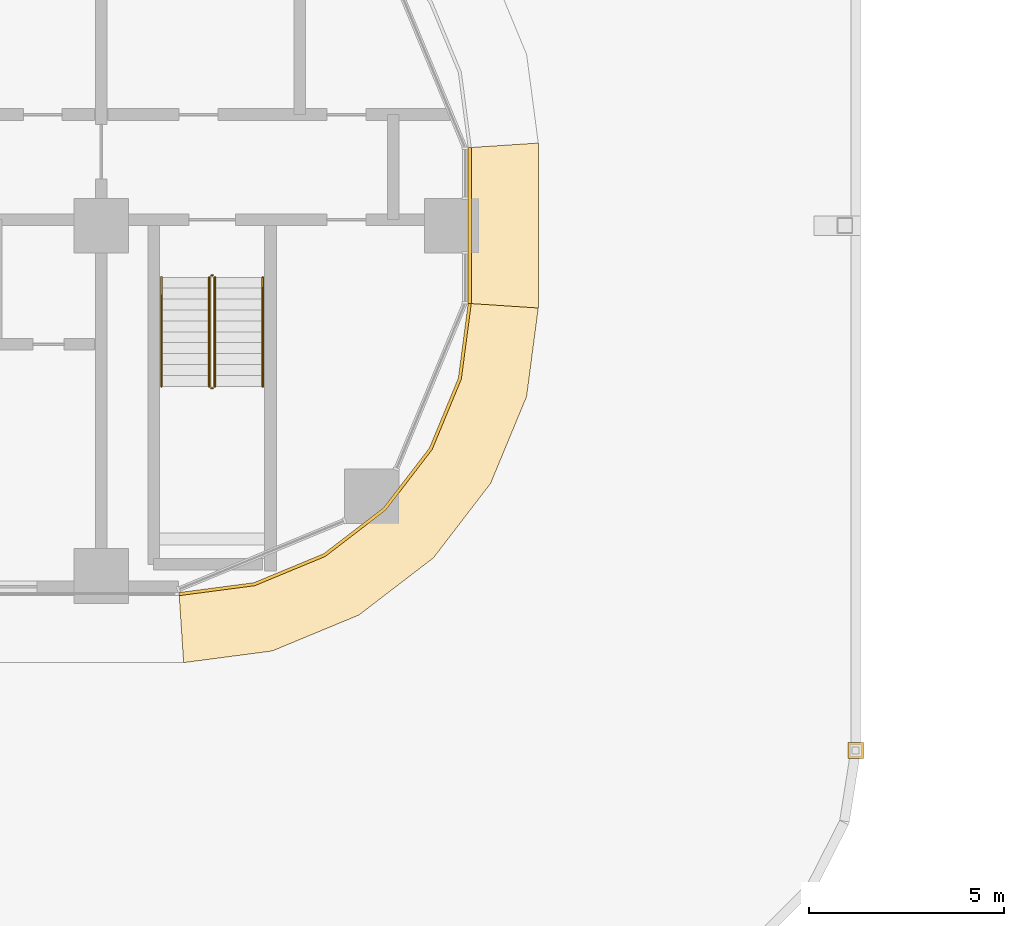
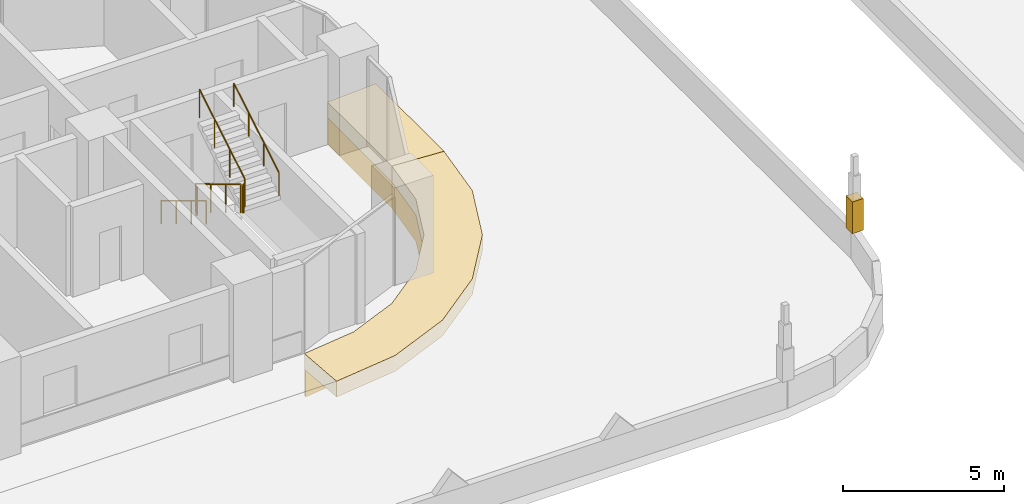
# One storey, part 43 of 51: 6 railings, 5 coverings.
"""IFC4 building model written with IfcOpenShell, lengths in metres."""

from ifc_helpers import new_model, si_unit, direction, frame, origin, origin_2d, place, context, subcontext, project, spatial, polyline, rectangle, circle, outline, extrude, material, layer, layer_set, type_object, element, save


model = new_model("IFC4")

# Units and contexts
model_context = context("Model", 3, precision=1e-05, world=origin(), true_north=direction((0.0, 1.0)))
body_context = subcontext(model_context, "Body", "Model", "MODEL_VIEW")
ifc_project = project(units=[si_unit("LENGTHUNIT", "METRE"), si_unit("AREAUNIT", "SQUARE_METRE"), si_unit("VOLUMEUNIT", "CUBIC_METRE"), si_unit("PLANEANGLEUNIT", "RADIAN"), si_unit("MASSUNIT", "GRAM", prefix="KILO")], contexts=[model_context])

# Site, building, storey
site_placement = place(None, origin())
site = spatial("IfcSite", under=ifc_project, at=site_placement, CompositionType="ELEMENT")
building_placement = place(site_placement, origin())
building = spatial("IfcBuilding", under=site, at=building_placement, Name="Ogive Portal Towers", CompositionType="ELEMENT")
storey_placement = place(building_placement, frame((0.0, 0.0, 33.5)))
storey = spatial("IfcBuildingStorey", under=building, at=storey_placement, Name="L06", CompositionType="ELEMENT", Elevation=33.5)

# Railings
ifc_material_1 = material(Name="Stainless steel balustrade", Category="steel")
railing_type_1 = type_object("IfcRailingType", Name="INT-GUARD", PredefinedType="GUARDRAIL", material=ifc_material_1)
railing_1_placement = place(storey_placement, frame((88.280029296875, 29.169921875, 0.168212890625)))
element("IfcRailing", 1, at=railing_1_placement, inside=storey, type_object=railing_type_1, Name="L06 ST-A4 stair guard 1", PredefinedType="GUARDRAIL", context=body_context, shape_type="SweptSolid", body=[
    extrude(circle(Radius=0.02392578125, at=origin_2d()), frame((0.0, 0.0, 1.076171875), z_axis=(0.0, -0.857222391501, 0.514946377315), x_axis=(1.0, 0.0, 0.0)), (0.0, 0.0, 1.0), 3.26611328125),
    extrude(circle(Radius=0.02099609375, at=origin_2d()), origin(), (0.0, 0.0, 1.0), 1.052001953125),
    extrude(circle(Radius=0.02099609375, at=origin_2d()), frame((0.0, -0.933349609375, 0.560546875)), (0.0, 0.0, 1.0), 1.052001953125),
    extrude(circle(Radius=0.02099609375, at=origin_2d()), frame((0.0, -1.866455078125, 1.121337890625)), (0.0, 0.0, 1.0), 1.052001953125),
    extrude(circle(Radius=0.02099609375, at=origin_2d()), frame((0.0, -2.7998046875, 1.681884765625)), (0.0, 0.0, 1.0), 1.052001953125),
])
railing_2_placement = place(storey_placement, frame((88.330078125, 26.320068359375, 1.85009765625)))
element("IfcRailing", 2, at=railing_2_placement, inside=storey, type_object=railing_type_1, Name="L06 ST-A4 stair guard 2", PredefinedType="GUARDRAIL", context=body_context, shape_type="SweptSolid", body=[
    extrude(circle(Radius=0.02392578125, at=origin_2d()), frame((0.0, 0.0, 1.076171875), z_axis=(1.0, 0.0, 0.0), x_axis=(0.0, 1.0, 0.0)), (0.0, 0.0, 1.0), 0.0400390625),
    extrude(circle(Radius=0.02099609375, at=origin_2d()), origin(), (0.0, 0.0, 1.0), 1.052001953125),
    extrude(circle(Radius=0.02099609375, at=origin_2d()), frame((0.0400390625, 0.0, 0.0)), (0.0, 0.0, 1.0), 1.052001953125),
])
railing_3_placement = place(storey_placement, frame((88.419921875, 26.3701171875, 2.01806640625)))
element("IfcRailing", 3, at=railing_3_placement, inside=storey, type_object=railing_type_1, Name="L06 ST-A4 stair guard 3", PredefinedType="GUARDRAIL", context=body_context, shape_type="SweptSolid", body=[
    extrude(circle(Radius=0.02392578125, at=origin_2d()), frame((0.0, 0.0, 1.076171875), z_axis=(0.0, 0.857222391501, 0.514946377315), x_axis=(-1.0, 0.0, 0.0)), (0.0, 0.0, 1.0), 3.26611328125),
    extrude(circle(Radius=0.02099609375, at=origin_2d()), origin(), (0.0, 0.0, 1.0), 1.052001953125),
    extrude(circle(Radius=0.02099609375, at=origin_2d()), frame((0.0, 0.933349609375, 0.560546875)), (0.0, 0.0, 1.0), 1.052001953125),
    extrude(circle(Radius=0.02099609375, at=origin_2d()), frame((0.0, 1.866455078125, 1.121337890625)), (0.0, 0.0, 1.0), 1.052001953125),
    extrude(circle(Radius=0.02099609375, at=origin_2d()), frame((0.0, 2.7998046875, 1.681884765625)), (0.0, 0.0, 1.0), 1.052001953125),
])
railing_4_placement = place(storey_placement, frame((88.330078125, 29.219970703125, 0.0)))
element("IfcRailing", 4, at=railing_4_placement, inside=storey, type_object=railing_type_1, Name="L06 ST-A4 stair guard 4", PredefinedType="GUARDRAIL", context=body_context, shape_type="SweptSolid", body=[
    extrude(circle(Radius=0.02392578125, at=origin_2d()), frame((0.0, 0.0, 1.076171875), z_axis=(1.0, 0.0, 0.0), x_axis=(0.0, 1.0, 0.0)), (0.0, 0.0, 1.0), 0.0400390625),
    extrude(circle(Radius=0.02099609375, at=origin_2d()), origin(), (0.0, 0.0, 1.0), 1.052001953125),
    extrude(circle(Radius=0.02099609375, at=origin_2d()), frame((0.0400390625, 0.0, 0.0)), (0.0, 0.0, 1.0), 1.052001953125),
])
ifc_material_2 = material(Name="Stainless steel handrail", Category="steel")
railing_type_2 = type_object("IfcRailingType", Name="INT-HANDRAIL", PredefinedType="HANDRAIL", material=ifc_material_2)
railing_5_placement = place(storey_placement, frame((87.050048828125, 29.169921875, 0.168212890625)))
element("IfcRailing", 5, at=railing_5_placement, inside=storey, type_object=railing_type_2, Name="L06 ST-A4 stair handrail 1", PredefinedType="HANDRAIL", context=body_context, shape_type="SweptSolid", body=[
    extrude(circle(Radius=0.02392578125, at=origin_2d()), frame((0.0, 0.0, 0.8759765625), z_axis=(0.0, -0.857222391501, 0.514946377315), x_axis=(1.0, 0.0, 0.0)), (0.0, 0.0, 1.0), 3.26611328125),
    extrude(circle(Radius=0.02099609375, at=origin_2d()), origin(), (0.0, 0.0, 1.0), 0.851806640625),
    extrude(circle(Radius=0.02099609375, at=origin_2d()), frame((0.0, -0.933349609375, 0.560546875)), (0.0, 0.0, 1.0), 0.851806640625),
    extrude(circle(Radius=0.02099609375, at=origin_2d()), frame((0.0, -1.866455078125, 1.121337890625)), (0.0, 0.0, 1.0), 0.851806640625),
    extrude(circle(Radius=0.02099609375, at=origin_2d()), frame((0.0, -2.7998046875, 1.681884765625)), (0.0, 0.0, 1.0), 0.851806640625),
])
railing_6_placement = place(storey_placement, frame((89.64990234375, 26.3701171875, 2.01806640625)))
element("IfcRailing", 6, at=railing_6_placement, inside=storey, type_object=railing_type_2, Name="L06 ST-A4 stair handrail 2", PredefinedType="HANDRAIL", context=body_context, shape_type="SweptSolid", body=[
    extrude(circle(Radius=0.02392578125, at=origin_2d()), frame((0.0, 0.0, 0.8759765625), z_axis=(0.0, 0.857222391501, 0.514946377315), x_axis=(-1.0, 0.0, 0.0)), (0.0, 0.0, 1.0), 3.26611328125),
    extrude(circle(Radius=0.02099609375, at=origin_2d()), origin(), (0.0, 0.0, 1.0), 0.851806640625),
    extrude(circle(Radius=0.02099609375, at=origin_2d()), frame((0.0, 0.933349609375, 0.560546875)), (0.0, 0.0, 1.0), 0.851806640625),
    extrude(circle(Radius=0.02099609375, at=origin_2d()), frame((0.0, 1.866455078125, 1.121337890625)), (0.0, 0.0, 1.0), 0.851806640625),
    extrude(circle(Radius=0.02099609375, at=origin_2d()), frame((0.0, 2.7998046875, 1.681884765625)), (0.0, 0.0, 1.0), 0.851806640625),
])

# Coverings
ifc_material_3 = material(Name="Limestone cladding on lightweight block wall", Category="masonry")
ifc_layer_1 = layer(ifc_material_3, 0.39990234375)
ifc_layer_set_1 = layer_set([ifc_layer_1], Name="PINNACLE SHAFT STONE")
covering_type_1 = type_object("IfcCoveringType", Name="PINNACLE SHAFT STONE", PredefinedType="CLADDING", material=ifc_layer_set_1)
covering_1_placement = place(storey_placement, frame((104.875, 17.019775390625, 1.10009765625), z_axis=(0.0, 0.0, 1.0), x_axis=(1.0, 0.0, 0.0)))
element("IfcCovering", 7, at=covering_1_placement, inside=storey, type_object=covering_type_1, Name="PINNACLE", PredefinedType="CLADDING", context=body_context, shape_type="SweptSolid", body=[
    extrude(rectangle(XDim=0.39990234375, YDim=0.39990234375, at=origin_2d()), origin(), (0.0, 0.0, 1.0), 1.199951171875),
])
ifc_layer_2 = layer(ifc_material_3, 0.080078125)
ifc_layer_set_2 = layer_set([ifc_layer_2], Name="STONE SPANDREL 80")
covering_type_2 = type_object("IfcCoveringType", Name="STONE SPANDREL 80", PredefinedType="CLADDING", material=ifc_layer_set_2)
covering_2_placement = place(storey_placement, frame((0.0, 0.0, -1.60009765625)))
element("IfcCovering", 8, at=covering_2_placement, inside=storey, type_object=covering_type_2, Name="Stone spandrel A1-F13", PredefinedType="CLADDING", context=body_context, shape_type="SweptSolid", body=[
    extrude(outline(polyline([(87.5, 21.074951171875), (89.421630859375, 21.327880859375), (91.21240234375, 22.06982421875), (92.750244140625, 23.249755859375), (93.93017578125, 24.78759765625), (94.672119140625, 26.578369140625), (94.925048828125, 28.5), (95.0048828125, 28.494873046875), (94.75, 26.557373046875), (94.0, 24.7470703125), (92.807373046875, 23.192626953125), (91.2529296875, 22.0), (89.442626953125, 21.25), (87.505126953125, 20.9951171875), (87.5, 21.074951171875)])), origin(), (0.0, 0.0, 1.0), 1.0),
])
covering_3_placement = place(storey_placement, frame((0.0, 0.0, -1.60009765625)))
element("IfcCovering", 9, at=covering_3_placement, inside=storey, type_object=covering_type_2, Name="Stone spandrel A1-F14", PredefinedType="CLADDING", context=body_context, shape_type="SweptSolid", body=[
    extrude(outline(polyline([(94.925048828125, 28.5), (94.925048828125, 32.5), (95.0048828125, 32.505126953125), (95.0048828125, 28.494873046875), (94.925048828125, 28.5)])), origin(), (0.0, 0.0, 1.0), 1.0),
])
ifc_layer_3 = layer(ifc_material_3, 0.60009765625)
ifc_layer_set_3 = layer_set([ifc_layer_3], Name="SUNSHADE LIP 600")
covering_type_3 = type_object("IfcCoveringType", Name="SUNSHADE LIP 600", PredefinedType="CLADDING", material=ifc_layer_set_3)
covering_4_placement = place(storey_placement, frame((0.0, 0.0, -0.60009765625)))
element("IfcCovering", 10, at=covering_4_placement, inside=storey, type_object=covering_type_3, Name="Sunshade lip A1-F13", PredefinedType="CLADDING", context=body_context, shape_type="SweptSolid", body=[
    extrude(outline(polyline([(87.5, 21.074951171875), (89.421630859375, 21.327880859375), (91.21240234375, 22.06982421875), (92.750244140625, 23.249755859375), (93.93017578125, 24.78759765625), (94.672119140625, 26.578369140625), (94.925048828125, 28.5), (96.72509765625, 28.382080078125), (96.42578125, 26.1083984375), (95.50244140625, 23.879638671875), (94.033935546875, 21.966064453125), (92.120361328125, 20.49755859375), (89.8916015625, 19.57421875), (87.617919921875, 19.27490234375), (87.5, 21.074951171875)])), origin(), (0.0, 0.0, 1.0), 0.60009765625),
])
covering_5_placement = place(storey_placement, frame((0.0, 0.0, -0.60009765625)))
element("IfcCovering", 11, at=covering_5_placement, inside=storey, type_object=covering_type_3, Name="Sunshade lip A1-F14", PredefinedType="CLADDING", context=body_context, shape_type="SweptSolid", body=[
    extrude(outline(polyline([(94.925048828125, 28.5), (94.925048828125, 32.5), (96.72509765625, 32.617919921875), (96.72509765625, 28.382080078125), (94.925048828125, 28.5)])), origin(), (0.0, 0.0, 1.0), 0.60009765625),
])

save(model, "model.ifc")
